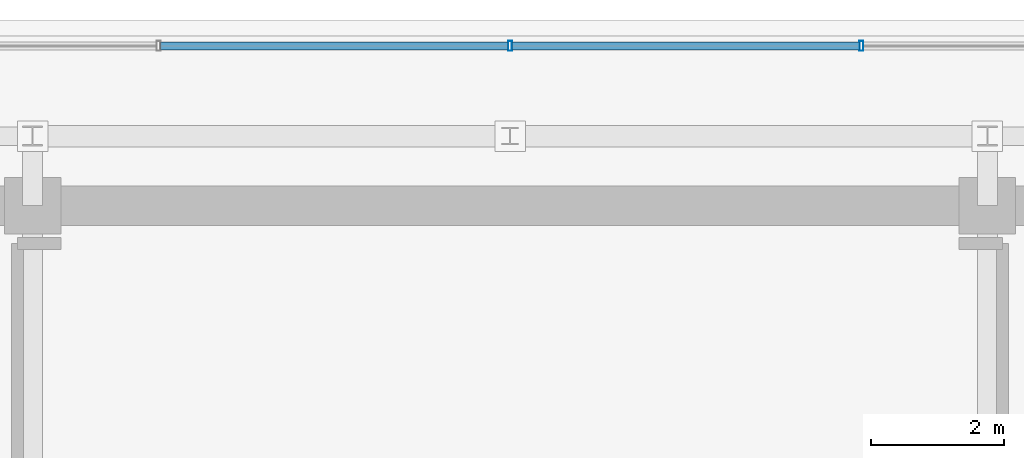
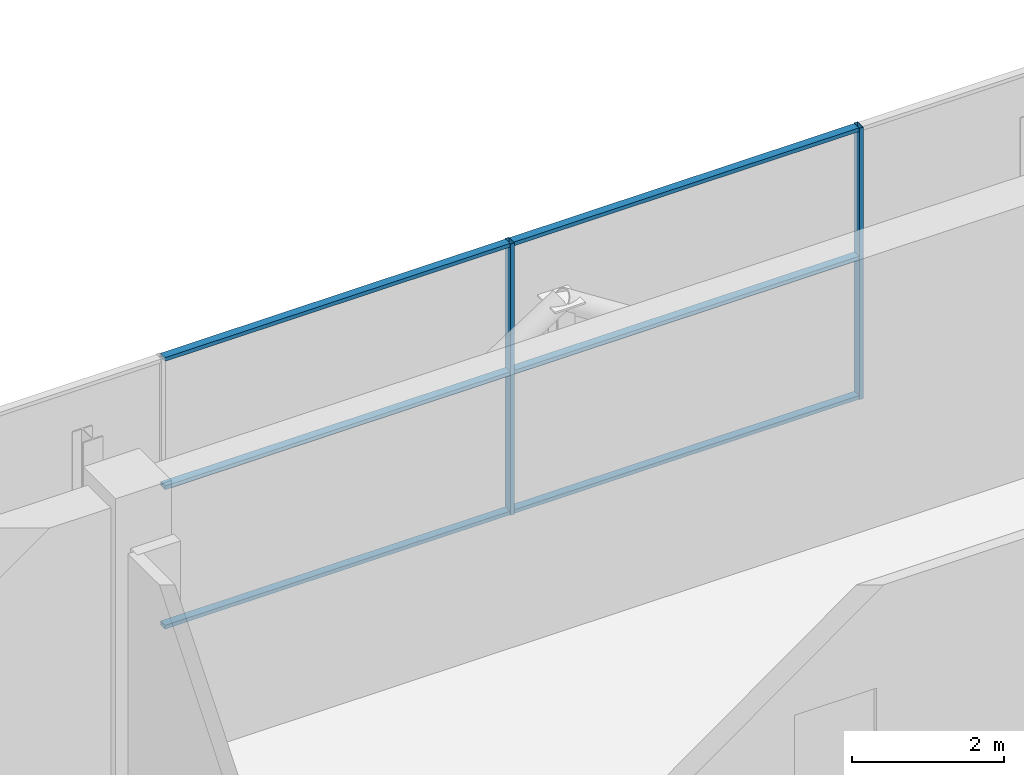
# One storey, part 20 of 26: 8 members, 1 element without a shape of its own.
"""IFC4 building model written with IfcOpenShell, lengths in metres."""

from ifc_helpers import new_model, si_unit, direction, frame, origin, origin_2d, place, context, subcontext, project, spatial, hollow_rectangle, extrude, source, transform, mapped, material, layer, layer_set, material_profile, profile_set, type_object, element, aggregate, save


model = new_model("IFC4")

# Units and contexts
model_context = context("Model", 3, precision=1e-05, world=origin(), true_north=direction((0.0, 1.0)))
body_context = subcontext(model_context, "Body", "Model", "MODEL_VIEW")
ifc_project = project(units=[si_unit("LENGTHUNIT", "METRE"), si_unit("AREAUNIT", "SQUARE_METRE"), si_unit("VOLUMEUNIT", "CUBIC_METRE"), si_unit("PLANEANGLEUNIT", "RADIAN"), si_unit("MASSUNIT", "GRAM", prefix="KILO")], contexts=[model_context])

# Site, building, storey
site_placement = place(None, origin())
site = spatial("IfcSite", under=ifc_project, at=site_placement, CompositionType="ELEMENT")
building_placement = place(site_placement, origin())
building = spatial("IfcBuilding", under=site, at=building_placement, Name="Zarnakvel Exchange Tower", CompositionType="ELEMENT")
storey_placement = place(building_placement, frame((0.0, 0.0, 285.39990234375)))
storey = spatial("IfcBuildingStorey", under=building, at=storey_placement, Name="Crown L80", CompositionType="ELEMENT", Elevation=285.39990234375)

# Curtain wall, members
ifc_material = material(Name="Architectural Bronze Anodised Aluminium", Category="aluminium")
ifc_layer = layer(ifc_material, 0.14990234375)
ifc_layer_set = layer_set([ifc_layer], Name="Architectural Bronze Anodised Aluminium")
curtain_wall_type = type_object("IfcCurtainWallType", Name="CW-07", PredefinedType="NOTDEFINED", material=ifc_layer_set)
curtain_wall_placement = place(storey_placement, origin())
curtain_wall = element("IfcCurtainWall", 1, at=curtain_wall_placement, inside=storey, type_object=curtain_wall_type, Name="Crown L80 Curtain Wall CW-Crown L80-N (CW-07)", PredefinedType="NOTDEFINED")
ifc_material_profile_1 = material_profile(ifc_material, hollow_rectangle(XDim=0.14990234375, YDim=0.06005859375, WallThickness=0.00390625, at=origin_2d()))
ifc_profile_set_1 = profile_set([ifc_material_profile_1], Name="Architectural Bronze Anodised Aluminium")
member_type_1 = type_object("IfcMemberType", Name="CWM-07", PredefinedType="MULLION", material=ifc_profile_set_1)
shared_shape_1 = source(origin(), body_context, "Body", "SweptSolid", [
    extrude(hollow_rectangle(XDim=0.14990234375, YDim=0.06005859375, WallThickness=0.00390625, at=origin_2d()), origin(), (0.0, 0.0, 1.0), 4.360107421875),
])
member_1_placement = place(storey_placement, frame((0.0, 15.909912109375, 0.0), z_axis=(0.0, 0.0, 1.0), x_axis=(0.0, 1.0, 0.0)))
member_1 = element("IfcMember", 2, at=member_1_placement, type_object=member_type_1, Name="CW-07 mullion 4", PredefinedType="MULLION", context=body_context, shape_type="MappedRepresentation", body=[
    mapped(shared_shape_1, transform((0.0, 0.0, 0.0), x_axis=(1.0, 0.0, 0.0), y_axis=(0.0, 1.0, 0.0), z_axis=(0.0, 0.0, 1.0), scale=1.0)),
])
member_2_placement = place(storey_placement, frame((5.300048828125, 15.909912109375, 0.0), z_axis=(0.0, 0.0, 1.0), x_axis=(0.0, 1.0, 0.0)))
member_2 = element("IfcMember", 3, at=member_2_placement, type_object=member_type_1, Name="CW-07 mullion 5", PredefinedType="MULLION", context=body_context, shape_type="MappedRepresentation", body=[
    mapped(shared_shape_1, transform((0.0, 0.0, 0.0), x_axis=(1.0, 0.0, 0.0), y_axis=(0.0, 1.0, 0.0), z_axis=(0.0, 0.0, 1.0), scale=1.0)),
])
ifc_material_profile_2 = material_profile(ifc_material, hollow_rectangle(XDim=0.1201171875, YDim=0.06005859375, WallThickness=0.00390625, at=origin_2d()))
ifc_profile_set_2 = profile_set([ifc_material_profile_2], Name="Architectural Bronze Anodised Aluminium")
member_type_2 = type_object("IfcMemberType", Name="CWT-07", PredefinedType="USERDEFINED", material=ifc_profile_set_2)
shared_shape_2 = source(origin(), body_context, "Body", "SweptSolid", [
    extrude(hollow_rectangle(XDim=0.1201171875, YDim=0.06005859375, WallThickness=0.00390625, at=origin_2d()), origin(), (0.0, 0.0, 1.0), 5.239990234375),
])
member_3_placement = place(storey_placement, frame((-5.27001953125, 15.909912109375, 0.030029296875), z_axis=(1.0, 0.0, 0.0), x_axis=(0.0, 1.0, 0.0)))
member_3 = element("IfcMember", 4, at=member_3_placement, type_object=member_type_2, Name="CW-07 transom 3.1", ObjectType="TRANSOM", PredefinedType="USERDEFINED", context=body_context, shape_type="MappedRepresentation", body=[
    mapped(shared_shape_2, transform((0.0, 0.0, 0.0), x_axis=(1.0, 0.0, 0.0), y_axis=(0.0, 1.0, 0.0), z_axis=(0.0, 0.0, 1.0), scale=1.0)),
])
member_4_placement = place(storey_placement, frame((-5.27001953125, 15.909912109375, 2.267333984375), z_axis=(1.0, 0.0, 0.0), x_axis=(0.0, 1.0, 0.0)))
member_4 = element("IfcMember", 5, at=member_4_placement, type_object=member_type_2, Name="CW-07 transom 3.2", ObjectType="TRANSOM", PredefinedType="USERDEFINED", context=body_context, shape_type="MappedRepresentation", body=[
    mapped(shared_shape_2, transform((0.0, 0.0, 0.0), x_axis=(1.0, 0.0, 0.0), y_axis=(0.0, 1.0, 0.0), z_axis=(0.0, 0.0, 1.0), scale=1.0)),
])
member_5_placement = place(storey_placement, frame((-5.27001953125, 15.909912109375, 4.330078125), z_axis=(1.0, 0.0, 0.0), x_axis=(0.0, 1.0, 0.0)))
member_5 = element("IfcMember", 6, at=member_5_placement, type_object=member_type_2, Name="CW-07 transom 3.3", ObjectType="TRANSOM", PredefinedType="USERDEFINED", context=body_context, shape_type="MappedRepresentation", body=[
    mapped(shared_shape_2, transform((0.0, 0.0, 0.0), x_axis=(1.0, 0.0, 0.0), y_axis=(0.0, 1.0, 0.0), z_axis=(0.0, 0.0, 1.0), scale=1.0)),
])
member_6_placement = place(storey_placement, frame((0.030029296875, 15.909912109375, 0.030029296875), z_axis=(1.0, 0.0, 0.0), x_axis=(0.0, 1.0, 0.0)))
member_6 = element("IfcMember", 7, at=member_6_placement, type_object=member_type_2, Name="CW-07 transom 4.1", ObjectType="TRANSOM", PredefinedType="USERDEFINED", context=body_context, shape_type="MappedRepresentation", body=[
    mapped(shared_shape_2, transform((0.0, 0.0, 0.0), x_axis=(1.0, 0.0, 0.0), y_axis=(0.0, 1.0, 0.0), z_axis=(0.0, 0.0, 1.0), scale=1.0)),
])
member_7_placement = place(storey_placement, frame((0.030029296875, 15.909912109375, 2.267333984375), z_axis=(1.0, 0.0, 0.0), x_axis=(0.0, 1.0, 0.0)))
member_7 = element("IfcMember", 8, at=member_7_placement, type_object=member_type_2, Name="CW-07 transom 4.2", ObjectType="TRANSOM", PredefinedType="USERDEFINED", context=body_context, shape_type="MappedRepresentation", body=[
    mapped(shared_shape_2, transform((0.0, 0.0, 0.0), x_axis=(1.0, 0.0, 0.0), y_axis=(0.0, 1.0, 0.0), z_axis=(0.0, 0.0, 1.0), scale=1.0)),
])
member_8_placement = place(storey_placement, frame((0.030029296875, 15.909912109375, 4.330078125), z_axis=(1.0, 0.0, 0.0), x_axis=(0.0, 1.0, 0.0)))
member_8 = element("IfcMember", 9, at=member_8_placement, type_object=member_type_2, Name="CW-07 transom 4.3", ObjectType="TRANSOM", PredefinedType="USERDEFINED", context=body_context, shape_type="MappedRepresentation", body=[
    mapped(shared_shape_2, transform((0.0, 0.0, 0.0), x_axis=(1.0, 0.0, 0.0), y_axis=(0.0, 1.0, 0.0), z_axis=(0.0, 0.0, 1.0), scale=1.0)),
])
aggregate(curtain_wall, [member_1, member_2, member_3, member_4, member_5, member_6, member_7, member_8])

save(model, "model.ifc")
